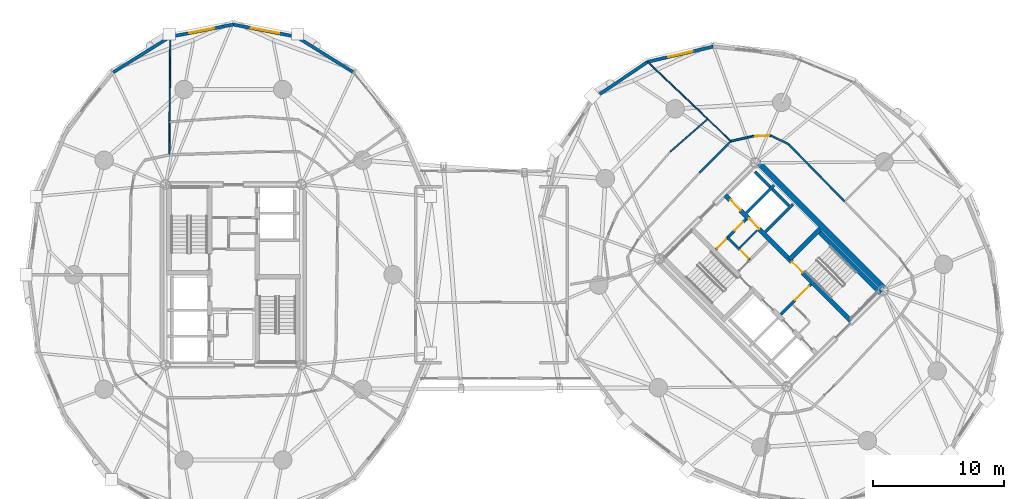
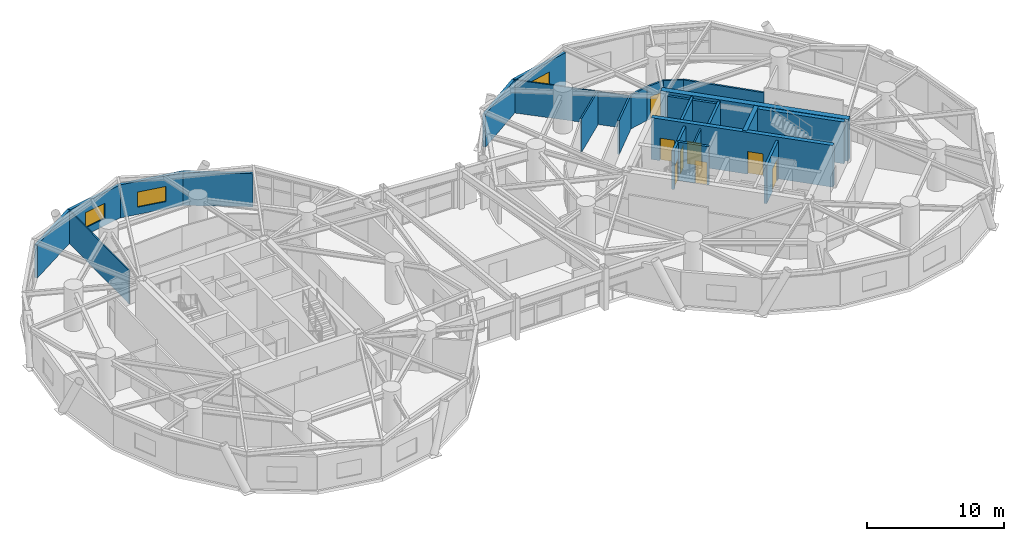
# One storey, part 17 of 20: 26 walls, 8 doors, 3 windows, 11 openings.
"""IFC4 building model written with IfcOpenShell, lengths in metres."""

from ifc_helpers import new_model, si_unit, direction, frame, frame_2d, origin, place, context, subcontext, project, spatial, rectangle, extrude, source, transform, mapped, material, layer, layer_set, type_object, element, fill, save


model = new_model("IFC4")

# Units and contexts
model_context = context("Model", 3, precision=1e-05, world=origin(), true_north=direction((0.0, 1.0)))
body_context = subcontext(model_context, "Body", "Model", "MODEL_VIEW")
ifc_project = project(units=[si_unit("LENGTHUNIT", "METRE"), si_unit("AREAUNIT", "SQUARE_METRE"), si_unit("VOLUMEUNIT", "CUBIC_METRE"), si_unit("PLANEANGLEUNIT", "RADIAN"), si_unit("MASSUNIT", "GRAM", prefix="KILO")], contexts=[model_context])

# Site, building, storey
site_placement = place(None, origin())
site = spatial("IfcSite", under=ifc_project, at=site_placement, CompositionType="ELEMENT")
building_placement = place(site_placement, origin())
building = spatial("IfcBuilding", under=site, at=building_placement, Name="Cununo Teusaquillo Station Towers", CompositionType="ELEMENT")
storey_placement = place(building_placement, frame((0.0, 0.0, 129.159912109375)))
storey = spatial("IfcBuildingStorey", under=building, at=storey_placement, Name="L41", CompositionType="ELEMENT", Elevation=129.159912109375)

# Walls
ifc_material_1 = material(Name="Concrete C50/60", Category="concrete")
ifc_layer_1 = layer(ifc_material_1, 0.199951171875)
ifc_layer_set_1 = layer_set([ifc_layer_1], Name="Concrete C50/60")
wall_type_1 = type_object("IfcWallType", Name="WL-CORE-200", PredefinedType="SHEAR", material=ifc_layer_set_1)
wall_1_placement = place(storey_placement, frame((57.0615234375, 27.781005859375, 0.0), z_axis=(0.0, 0.0, 1.0), x_axis=(0.707106781187, 0.707106781187, 0.0)))
element("IfcWall", 1, at=wall_1_placement, inside=storey, type_object=wall_type_1, Name="L41 Tower B Low-Rise Lift Hoistway South Shear Wall", PredefinedType="SHEAR", context=body_context, shape_type="SweptSolid", body=[
    extrude(rectangle(XDim=2.969970703125, YDim=0.199951171875, at=frame_2d((1.48486328125, 0.0))), origin(), (0.0, 0.0, 1.0), 3.719970703125),
])
wall_2_placement = place(storey_placement, frame((55.615478515625, 29.22705078125, 0.0), z_axis=(0.0, 0.0, 1.0), x_axis=(0.707147878904, 0.70706568108, 0.0)))
element("IfcWall", 2, at=wall_2_placement, inside=storey, type_object=wall_type_1, Name="L41 Tower B Low-Rise Lift Hoistway Divider Shear Wall", PredefinedType="SHEAR", context=body_context, shape_type="SweptSolid", body=[
    extrude(rectangle(XDim=2.97021484375, YDim=0.199951171875, at=frame_2d((1.485107421875, 0.0))), origin(), (0.0, 0.0, 1.0), 3.719970703125),
])
wall_3_placement = place(storey_placement, frame((58.86474609375, 29.75390625, 0.0), z_axis=(0.0, 0.0, 1.0), x_axis=(-0.707174411312, 0.707039144592, 0.0)))
element("IfcWall", 3, at=wall_3_placement, inside=storey, type_object=wall_type_1, Name="L41 Tower B Low-Rise Lift 1 Shaft Rear Shear Wall", PredefinedType="SHEAR", context=body_context, shape_type="SweptSolid", body=[
    extrude(rectangle(XDim=1.804931640625, YDim=0.199951171875, at=frame_2d((0.90234375, 0.0))), origin(), (0.0, 0.0, 1.0), 3.719970703125),
])
wall_4_placement = place(storey_placement, frame((57.418701171875, 31.19970703125, 0.0), z_axis=(0.0, 0.0, 1.0), x_axis=(-0.707032117043, 0.707181437447, 0.0)))
element("IfcWall", 4, at=wall_4_placement, inside=storey, type_object=wall_type_1, Name="L41 Tower B Low-Rise Lift 2 Shaft Rear Shear Wall", PredefinedType="SHEAR", context=body_context, shape_type="SweptSolid", body=[
    extrude(rectangle(XDim=1.635009765625, YDim=0.199951171875, at=frame_2d((0.8173828125, 0.0))), origin(), (0.0, 0.0, 1.0), 3.719970703125),
])

# Wall, openings, doors
ifc_material_2 = material(Name="Concrete C50/60", Category="concrete")
ifc_layer_2 = layer(ifc_material_2, 0.35009765625)
ifc_layer_set_2 = layer_set([ifc_layer_2], Name="Concrete C50/60")
wall_type_2 = type_object("IfcWallType", Name="WL-CORE-350", PredefinedType="SHEAR", material=ifc_layer_set_2)
wall_5_placement = place(storey_placement, frame((63.644775390625, 20.922119140625, 0.0), z_axis=(0.0, 0.0, 1.0), x_axis=(-0.707106781187, 0.707106781187, 0.0)))
wall_5 = element("IfcWall", 5, at=wall_5_placement, inside=storey, type_object=wall_type_2, Name="L41 Tower B Core Shear Wall IE", PredefinedType="SHEAR", context=body_context, shape_type="SweptSolid", body=[
    extrude(rectangle(XDim=13.75, YDim=0.35009765625, at=frame_2d((6.875, 0.0))), origin(), (0.0, 0.0, 1.0), 3.719970703125),
])
shared_shape_1 = source(origin(), body_context, "Body", "SweptSolid", [
    extrude(rectangle(XDim=1.10009765625, YDim=2.014892578125, at=frame_2d((0.550048828125, 1.00732421875))), frame((0.0, 0.18505859375, 0.0), z_axis=(0.0, -1.0, 0.0), x_axis=(1.0, 0.0, 0.0)), (0.0, 0.0, 1.0), 0.3701171875),
])
opening_1_placement = place(wall_5_placement, frame((10.0, 0.0, 0.0)))
opening_1 = element("IfcOpeningElement", 6, at=opening_1_placement, cuts=wall_5, Name="Opening LD-01", PredefinedType="OPENING", context=body_context, shape_type="MappedRepresentation", body=[
    mapped(shared_shape_1, transform((0.0, 0.0, 0.0), x_axis=(1.0, 0.0, 0.0), y_axis=(0.0, 1.0, 0.0), z_axis=(0.0, 0.0, 1.0), scale=1.0)),
])
opening_2_placement = place(wall_5_placement, frame((12.0, 0.0, 0.0)))
opening_2 = element("IfcOpeningElement", 7, at=opening_2_placement, cuts=wall_5, Name="Opening LD-01", PredefinedType="OPENING", context=body_context, shape_type="MappedRepresentation", body=[
    mapped(shared_shape_1, transform((0.0, 0.0, 0.0), x_axis=(1.0, 0.0, 0.0), y_axis=(0.0, 1.0, 0.0), z_axis=(0.0, 0.0, 1.0), scale=1.0)),
])
shared_shape_2 = source(origin(), body_context, "Body", "SweptSolid", [
    extrude(rectangle(XDim=1.14990234375, YDim=2.02001953125, at=frame_2d((0.574951171875, 1.010009765625))), frame((0.0, 0.18505859375, 0.0), z_axis=(0.0, -1.0, 0.0), x_axis=(1.0, 0.0, 0.0)), (0.0, 0.0, 1.0), 0.3701171875),
])
opening_3_placement = place(wall_5_placement, frame((5.304931640625, 0.0, 0.0)))
opening_3 = element("IfcOpeningElement", 8, at=opening_3_placement, cuts=wall_5, Name="Opening D-ST1", PredefinedType="OPENING", context=body_context, shape_type="MappedRepresentation", body=[
    mapped(shared_shape_2, transform((0.0, 0.0, 0.0), x_axis=(1.0, 0.0, 0.0), y_axis=(0.0, 1.0, 0.0), z_axis=(0.0, 0.0, 1.0), scale=1.0)),
])
ifc_material_3 = material(Name="Galvanised fire-rated hollow steel door assembly", Category="steel")
door_type_1 = type_object("IfcDoorType", Name="DR-LIFT-1100", OperationType="SLIDING_TO_LEFT", PredefinedType="DOOR", material=ifc_material_3)
shared_shape_3 = source(origin(), body_context, "Body", "SweptSolid", [
    extrude(rectangle(XDim=1.10009765625, YDim=2.014892578125, at=frame_2d((0.550048828125, 1.00732421875))), frame((0.0, 0.02490234375, 0.0), z_axis=(0.0, -1.0, 0.0), x_axis=(1.0, 0.0, 0.0)), (0.0, 0.0, 1.0), 0.050048828125),
])
door_1_placement = place(opening_1_placement, origin())
door_1 = element("IfcDoor", 9, at=door_1_placement, inside=storey, type_object=door_type_1, Name="L41 Lift PL-T2-L1 Sliding Landing Door", OperationType="SLIDING_TO_LEFT", OverallHeight=2.014892578125, OverallWidth=1.10009765625, PredefinedType="DOOR", context=body_context, shape_type="MappedRepresentation", body=[
    mapped(shared_shape_3, transform((0.0, 0.0, 0.0), x_axis=(1.0, 0.0, 0.0), y_axis=(0.0, 1.0, 0.0), z_axis=(0.0, 0.0, 1.0), scale=1.0)),
])
fill(opening_1, door_1)
door_2_placement = place(opening_2_placement, origin())
door_2 = element("IfcDoor", 10, at=door_2_placement, inside=storey, type_object=door_type_1, Name="L41 Lift PL-T2-L2 Sliding Landing Door", OperationType="SLIDING_TO_RIGHT", OverallHeight=2.014892578125, OverallWidth=1.10009765625, PredefinedType="DOOR", context=body_context, shape_type="MappedRepresentation", body=[
    mapped(shared_shape_3, transform((0.0, 0.0, 0.0), x_axis=(1.0, 0.0, 0.0), y_axis=(0.0, 1.0, 0.0), z_axis=(0.0, 0.0, 1.0), scale=1.0)),
])
fill(opening_2, door_2)
ifc_material_4 = material(Name="Galvanised fire-rated hollow steel door assembly", Category="steel")
door_type_2 = type_object("IfcDoorType", Name="DR-STAIR-1150", OperationType="NOTDEFINED", PredefinedType="DOOR", material=ifc_material_4)
shared_shape_4 = source(origin(), body_context, "Body", "SweptSolid", [
    extrude(rectangle(XDim=1.14990234375, YDim=2.02001953125, at=frame_2d((0.574951171875, 1.010009765625))), frame((0.0, 0.02490234375, 0.0), z_axis=(0.0, -1.0, 0.0), x_axis=(1.0, 0.0, 0.0)), (0.0, 0.0, 1.0), 0.050048828125),
])
door_3_placement = place(opening_3_placement, origin())
door_3 = element("IfcDoor", 11, at=door_3_placement, inside=storey, type_object=door_type_2, Name="L41 Tower B Exit Stair 2 Fire Door", OperationType="SINGLE_SWING_RIGHT", OverallHeight=2.02001953125, OverallWidth=1.14990234375, PredefinedType="DOOR", context=body_context, shape_type="MappedRepresentation", body=[
    mapped(shared_shape_4, transform((0.0, 0.0, 0.0), x_axis=(1.0, 0.0, 0.0), y_axis=(0.0, 1.0, 0.0), z_axis=(0.0, 0.0, 1.0), scale=1.0)),
])
fill(opening_3, door_3)

# Walls
wall_6_placement = place(storey_placement, frame((65.82958984375, 23.10693359375, 0.0), z_axis=(0.0, 0.0, 1.0), x_axis=(-0.707088616009, 0.707124945897, 0.0)))
element("IfcWall", 12, at=wall_6_placement, inside=storey, type_object=wall_type_2, Name="L41 Tower B Core Shear Wall ST2E", PredefinedType="SHEAR", context=body_context, shape_type="SweptSolid", body=[
    extrude(rectangle(XDim=6.72021484375, YDim=0.35009765625, at=frame_2d((3.360107421875, 0.0))), origin(), (0.0, 0.0, 1.0), 3.719970703125),
])
wall_7_placement = place(storey_placement, frame((58.89306640625, 25.673828125, 0.0), z_axis=(0.0, 0.0, 1.0), x_axis=(0.707106781187, 0.707106781187, 0.0)))
element("IfcWall", 13, at=wall_7_placement, inside=storey, type_object=wall_type_2, Name="L41 Tower B Core Shear Wall ST2N", PredefinedType="SHEAR", context=body_context, shape_type="SweptSolid", body=[
    extrude(rectangle(XDim=3.284912109375, YDim=0.35009765625, at=frame_2d((1.642578125, 0.0))), origin(), (0.0, 0.0, 1.0), 3.719970703125),
])
ifc_material_5 = material(Name="Concrete C60/75", Category="concrete")
ifc_layer_3 = layer(ifc_material_5, 0.449951171875)
ifc_layer_set_3 = layer_set([ifc_layer_3], Name="Concrete C60/75")
wall_type_3 = type_object("IfcWallType", Name="WL-CORE-450", PredefinedType="SHEAR", material=ifc_layer_set_3)
wall_8_placement = place(storey_placement, frame((66.303466796875, 23.2626953125, 0.0), z_axis=(0.0, 0.0, 1.0), x_axis=(-0.707106781187, 0.707106781187, 0.0)))
element("IfcWall", 14, at=wall_8_placement, inside=storey, type_object=wall_type_3, Name="L41 Tower B Core Shear Wall E", PredefinedType="SHEAR", context=body_context, shape_type="SweptSolid", body=[
    extrude(rectangle(XDim=14.19970703125, YDim=0.449951171875, at=frame_2d((7.099853515625, 0.0))), origin(), (0.0, 0.0, 1.0), 3.719970703125),
])
ifc_material_6 = material(Name="Precast concrete C40/50", Category="concrete")
ifc_layer_4 = layer(ifc_material_6, 0.239990234375)
ifc_layer_set_4 = layer_set([ifc_layer_4], Name="Precast concrete C40/50")
wall_type_4 = type_object("IfcWallType", Name="WL-EXT-240", PredefinedType="SOLIDWALL", material=ifc_layer_set_4)
wall_9_placement = place(storey_placement, frame((21.314697265625, 42.63671875, 0.0), z_axis=(0.0, 0.0, 1.0), x_axis=(0.848520380187, -0.529162701263, 0.0)))
element("IfcWall", 15, at=wall_9_placement, inside=storey, type_object=wall_type_4, Name="L41 Tower A Exterior Facade Wall C03", PredefinedType="SOLIDWALL", context=body_context, shape_type="SweptSolid", body=[
    extrude(rectangle(XDim=5.118896484375, YDim=0.239990234375, at=frame_2d((2.5595703125, 0.0))), origin(), (0.0, 0.0, 1.0), 2.948974609375),
])

# Wall, opening, window
wall_10_placement = place(storey_placement, frame((16.5, 43.570068359375, 0.0), z_axis=(0.0, 0.0, 1.0), x_axis=(0.981723785992, -0.190311344954, 0.0)))
wall_10 = element("IfcWall", 16, at=wall_10_placement, inside=storey, type_object=wall_type_4, Name="L41 Tower A Exterior Facade Wall C04", PredefinedType="SOLIDWALL", context=body_context, shape_type="SweptSolid", body=[
    extrude(rectangle(XDim=4.904296875, YDim=0.239990234375, at=frame_2d((2.4521484375, 0.0))), origin(), (0.0, 0.0, 1.0), 2.948974609375),
])
shared_shape_5 = source(origin(), body_context, "Body", "SweptSolid", [
    extrude(rectangle(XDim=2.199951171875, YDim=1.35009765625, at=frame_2d((1.10009765625, 0.675048828125))), frame((0.0, 0.1298828125, 0.0), z_axis=(0.0, -1.0, 0.0), x_axis=(1.0, 0.0, 0.0)), (0.0, 0.0, 1.0), 0.260009765625),
])
opening_4_placement = place(wall_10_placement, frame((1.35205078125, 0.0, 0.64990234375)))
opening_4 = element("IfcOpeningElement", 17, at=opening_4_placement, cuts=wall_10, Name="Opening WN-01", PredefinedType="OPENING", context=body_context, shape_type="MappedRepresentation", body=[
    mapped(shared_shape_5, transform((0.0, 0.0, 0.0), x_axis=(1.0, 0.0, 0.0), y_axis=(0.0, 1.0, 0.0), z_axis=(0.0, 0.0, 1.0), scale=1.0)),
])
ifc_material_7 = material(Name="Ceramic-fritted dark low-E double glazing", Category="glass")
window_type_1 = type_object("IfcWindowType", Name="WIN-FRIT-2200", PartitioningType="DOUBLE_PANEL_VERTICAL", PredefinedType="WINDOW", material=ifc_material_7)
shared_shape_6 = source(origin(), body_context, "Body", "SweptSolid", [
    extrude(rectangle(XDim=2.199951171875, YDim=1.35009765625, at=frame_2d((1.10009765625, 0.675048828125))), frame((0.0, 0.030029296875, 0.0), z_axis=(0.0, -1.0, 0.0), x_axis=(1.0, 0.0, 0.0)), (0.0, 0.0, 1.0), 0.06005859375),
])
window_1_placement = place(opening_4_placement, origin())
window_1 = element("IfcWindow", 18, at=window_1_placement, inside=storey, type_object=window_type_1, Name="L41 Tower A Facade Window C04", OverallHeight=1.35009765625, OverallWidth=2.199951171875, PartitioningType="DOUBLE_PANEL_VERTICAL", PredefinedType="WINDOW", context=body_context, shape_type="MappedRepresentation", body=[
    mapped(shared_shape_6, transform((0.0, 0.0, 0.0), x_axis=(1.0, 0.0, 0.0), y_axis=(0.0, 1.0, 0.0), z_axis=(0.0, 0.0, 1.0), scale=1.0)),
])
fill(opening_4, window_1)

wall_11_placement = place(storey_placement, frame((11.685302734375, 42.63671875, 0.0), z_axis=(0.0, 0.0, 1.0), x_axis=(0.981723785992, 0.190311344954, 0.0)))
wall_11 = element("IfcWall", 19, at=wall_11_placement, inside=storey, type_object=wall_type_4, Name="L41 Tower A Exterior Facade Wall C05", PredefinedType="SOLIDWALL", context=body_context, shape_type="SweptSolid", body=[
    extrude(rectangle(XDim=4.904296875, YDim=0.239990234375, at=frame_2d((2.4521484375, 0.0))), origin(), (0.0, 0.0, 1.0), 2.948974609375),
])
shared_shape_7 = source(origin(), body_context, "Body", "SweptSolid", [
    extrude(rectangle(XDim=1.89990234375, YDim=1.35009765625, at=frame_2d((0.949951171875, 0.675048828125))), frame((0.0, 0.1298828125, 0.0), z_axis=(0.0, -1.0, 0.0), x_axis=(1.0, 0.0, 0.0)), (0.0, 0.0, 1.0), 0.260009765625),
])
opening_5_placement = place(wall_11_placement, frame((1.501953125, 0.0, 0.64990234375)))
opening_5 = element("IfcOpeningElement", 20, at=opening_5_placement, cuts=wall_11, Name="Opening WN-02", PredefinedType="OPENING", context=body_context, shape_type="MappedRepresentation", body=[
    mapped(shared_shape_7, transform((0.0, 0.0, 0.0), x_axis=(1.0, 0.0, 0.0), y_axis=(0.0, 1.0, 0.0), z_axis=(0.0, 0.0, 1.0), scale=1.0)),
])
ifc_material_8 = material(Name="Operable acoustic tinted low-E double glazing", Category="glass")
window_type_2 = type_object("IfcWindowType", Name="WIN-OPER-1900", PartitioningType="DOUBLE_PANEL_VERTICAL", PredefinedType="WINDOW", material=ifc_material_8)
shared_shape_8 = source(origin(), body_context, "Body", "SweptSolid", [
    extrude(rectangle(XDim=1.89990234375, YDim=1.35009765625, at=frame_2d((0.949951171875, 0.675048828125))), frame((0.0, 0.030029296875, 0.0), z_axis=(0.0, -1.0, 0.0), x_axis=(1.0, 0.0, 0.0)), (0.0, 0.0, 1.0), 0.06005859375),
])
window_2_placement = place(opening_5_placement, origin())
window_2 = element("IfcWindow", 21, at=window_2_placement, inside=storey, type_object=window_type_2, Name="L41 Tower A Facade Window C05", OverallHeight=1.35009765625, OverallWidth=1.89990234375, PartitioningType="DOUBLE_PANEL_VERTICAL", PredefinedType="WINDOW", context=body_context, shape_type="MappedRepresentation", body=[
    mapped(shared_shape_8, transform((0.0, 0.0, 0.0), x_axis=(1.0, 0.0, 0.0), y_axis=(0.0, 1.0, 0.0), z_axis=(0.0, 0.0, 1.0), scale=1.0)),
])
fill(opening_5, window_2)

# Wall
wall_12_placement = place(storey_placement, frame((7.341796875, 39.927978515625, 0.0), z_axis=(0.0, 0.0, 1.0), x_axis=(0.848520380187, 0.529162701263, 0.0)))
element("IfcWall", 22, at=wall_12_placement, inside=storey, type_object=wall_type_4, Name="L41 Tower A Exterior Facade Wall C06", PredefinedType="SOLIDWALL", context=body_context, shape_type="SweptSolid", body=[
    extrude(rectangle(XDim=5.118896484375, YDim=0.239990234375, at=frame_2d((2.5595703125, 0.0))), origin(), (0.0, 0.0, 1.0), 2.948974609375),
])

# Wall, opening, window
wall_13_placement = place(storey_placement, frame((48.080078125, 40.72900390625, 0.0), z_axis=(0.0, 0.0, 1.0), x_axis=(0.974165631126, 0.225834725257, 0.0)))
wall_13 = element("IfcWall", 23, at=wall_13_placement, inside=storey, type_object=wall_type_4, Name="L41 Tower B Exterior Facade Wall C03", PredefinedType="SOLIDWALL", context=body_context, shape_type="SweptSolid", body=[
    extrude(rectangle(XDim=5.118896484375, YDim=0.239990234375, at=frame_2d((2.5595703125, 0.0))), origin(), (0.0, 0.0, 1.0), 2.948974609375),
])
opening_6_placement = place(wall_13_placement, frame((1.60888671875, 0.0, 0.64990234375)))
opening_6 = element("IfcOpeningElement", 24, at=opening_6_placement, cuts=wall_13, Name="Opening WN-02", PredefinedType="OPENING", context=body_context, shape_type="MappedRepresentation", body=[
    mapped(shared_shape_7, transform((0.0, 0.0, 0.0), x_axis=(1.0, 0.0, 0.0), y_axis=(0.0, 1.0, 0.0), z_axis=(0.0, 0.0, 1.0), scale=1.0)),
])
window_3_placement = place(opening_6_placement, origin())
window_3 = element("IfcWindow", 25, at=window_3_placement, inside=storey, type_object=window_type_2, Name="L41 Tower B Facade Window C03", OverallHeight=1.35009765625, OverallWidth=1.89990234375, PartitioningType="DOUBLE_PANEL_VERTICAL", PredefinedType="WINDOW", context=body_context, shape_type="MappedRepresentation", body=[
    mapped(shared_shape_8, transform((0.0, 0.0, 0.0), x_axis=(1.0, 0.0, 0.0), y_axis=(0.0, 1.0, 0.0), z_axis=(0.0, 0.0, 1.0), scale=1.0)),
])
fill(opening_6, window_3)

# Walls
wall_14_placement = place(storey_placement, frame((44.015380859375, 37.984619140625, 0.0), z_axis=(0.0, 0.0, 1.0), x_axis=(0.828781148131, 0.559572880421, 0.0)))
element("IfcWall", 26, at=wall_14_placement, inside=storey, type_object=wall_type_4, Name="L41 Tower B Exterior Facade Wall C04", PredefinedType="SOLIDWALL", context=body_context, shape_type="SweptSolid", body=[
    extrude(rectangle(XDim=4.904541015625, YDim=0.239990234375, at=frame_2d((2.4521484375, 0.0))), origin(), (0.0, 0.0, 1.0), 2.948974609375),
])
ifc_material_9 = material(Name="Fire-rated gypsum plasterboard partition assembly", Category="gypsum")
ifc_layer_5 = layer(ifc_material_9, 0.10009765625)
ifc_layer_set_5 = layer_set([ifc_layer_5], Name="Fire-rated gypsum plasterboard partition assembly")
wall_type_5 = type_object("IfcWallType", Name="WL-PART-100", PredefinedType="MOVABLE", material=ifc_layer_set_5)
wall_15_placement = place(storey_placement, frame((11.619873046875, 33.63720703125, 0.0), z_axis=(0.0, 0.0, 1.0), x_axis=(0.007965167065, 0.999968277554, 0.0)))
element("IfcWall", 27, at=wall_15_placement, inside=storey, type_object=wall_type_5, Name="L41 Tower A Radial Suite Partition R02", PredefinedType="MOVABLE", context=body_context, shape_type="SweptSolid", body=[
    extrude(rectangle(XDim=8.980712890625, YDim=0.10009765625, at=frame_2d((4.490234375, 0.0))), origin(), (0.0, 0.0, 1.0), 2.948974609375),
])
wall_16_placement = place(storey_placement, frame((54.426513671875, 34.6826171875, 0.0), z_axis=(0.0, 0.0, 1.0), x_axis=(-0.72454072322, 0.689231993161, 0.0)))
element("IfcWall", 28, at=wall_16_placement, inside=storey, type_object=wall_type_5, Name="L41 Tower B Radial Suite Partition R02", PredefinedType="MOVABLE", context=body_context, shape_type="SweptSolid", body=[
    extrude(rectangle(XDim=8.746826171875, YDim=0.10009765625, at=frame_2d((4.37353515625, 0.0))), origin(), (0.0, 0.0, 1.0), 2.948974609375),
])
ifc_material_10 = material(Name="Fire-rated gypsum plasterboard partition assembly", Category="gypsum")
ifc_layer_6 = layer(ifc_material_10, 0.125)
ifc_layer_set_6 = layer_set([ifc_layer_6], Name="Fire-rated gypsum plasterboard partition assembly")
wall_type_6 = type_object("IfcWallType", Name="WL-PART-125", PredefinedType="PARTITIONING", material=ifc_layer_set_6)
wall_17_placement = place(storey_placement, frame((55.0888671875, 26.54345703125, 0.0), z_axis=(0.0, 0.0, 1.0), x_axis=(0.707106781187, 0.707106781187, 0.0)))
element("IfcWall", 29, at=wall_17_placement, inside=storey, type_object=wall_type_6, Name="L41 Tower B Core Horizontal Split Wall", PredefinedType="PARTITIONING", context=body_context, shape_type="SweptSolid", body=[
    extrude(rectangle(XDim=1.8798828125, YDim=0.125, at=frame_2d((0.93994140625, 0.0))), origin(), (0.0, 0.0, 1.0), 3.425048828125),
])
wall_18_placement = place(storey_placement, frame((52.652099609375, 36.37060546875, 0.0), z_axis=(0.0, 0.0, 1.0), x_axis=(-0.752401146533, -0.658705180408, 0.0)))
element("IfcWall", 30, at=wall_18_placement, inside=storey, type_object=wall_type_6, Name="L41 Tower B Sky-Concourse Exhibition Salon Concentric Partition Wall C04", PredefinedType="PARTITIONING", context=body_context, shape_type="SweptSolid", body=[
    extrude(rectangle(XDim=3.791259765625, YDim=0.125, at=frame_2d((1.8955078125, 0.0))), origin(), (0.0, 0.0, 1.0), 2.9951171875),
])
ifc_material_11 = material(Name="Fire-rated gypsum plasterboard partition assembly", Category="gypsum")
ifc_layer_7 = layer(ifc_material_11, 0.14990234375)
ifc_layer_set_7 = layer_set([ifc_layer_7], Name="Fire-rated gypsum plasterboard partition assembly")
wall_type_7 = type_object("IfcWallType", Name="WL-PART-150", PredefinedType="PARTITIONING", material=ifc_layer_set_7)
wall_19_placement = place(storey_placement, frame((63.086181640625, 30.086181640625, 0.0), z_axis=(0.0, 0.0, 1.0), x_axis=(-0.699075897379, 0.715047473741, 0.0)))
element("IfcWall", 31, at=wall_19_placement, inside=storey, type_object=wall_type_7, Name="L41 Tower B Corridor Ring Wall C00", PredefinedType="PARTITIONING", context=body_context, shape_type="SweptSolid", body=[
    extrude(rectangle(XDim=6.1142578125, YDim=0.14990234375, at=frame_2d((3.05712890625, 0.0))), origin(), (0.0, 0.0, 1.0), 2.9951171875),
])
wall_20_placement = place(storey_placement, frame((58.811767578125, 34.458251953125, 0.0), z_axis=(0.0, 0.0, 1.0), x_axis=(-0.899559490277, 0.436798264021, 0.0)))
element("IfcWall", 32, at=wall_20_placement, inside=storey, type_object=wall_type_7, Name="L41 Tower B Corridor Ring Wall C01", PredefinedType="PARTITIONING", context=body_context, shape_type="SweptSolid", body=[
    extrude(rectangle(XDim=1.4951171875, YDim=0.14990234375, at=frame_2d((0.74755859375, 0.0))), origin(), (0.0, 0.0, 1.0), 2.9951171875),
])

# Wall, opening, door
wall_21_placement = place(storey_placement, frame((57.466796875, 35.111328125, 0.0), z_axis=(0.0, 0.0, 1.0), x_axis=(-0.998691757323, -0.051134859488, 0.0)))
wall_21 = element("IfcWall", 33, at=wall_21_placement, inside=storey, type_object=wall_type_7, Name="L41 Tower B Corridor Ring Wall C02", PredefinedType="PARTITIONING", context=body_context, shape_type="SweptSolid", body=[
    extrude(rectangle(XDim=1.48486328125, YDim=0.14990234375, at=frame_2d((0.742431640625, 0.0))), origin(), (0.0, 0.0, 1.0), 2.9951171875),
])
shared_shape_9 = source(origin(), body_context, "Body", "SweptSolid", [
    extrude(rectangle(XDim=1.050048828125, YDim=2.014892578125, at=frame_2d((0.52490234375, 1.00732421875))), frame((0.0, 0.0849609375, 0.0), z_axis=(0.0, -1.0, 0.0), x_axis=(1.0, 0.0, 0.0)), (0.0, 0.0, 1.0), 0.169921875),
])
opening_7_placement = place(wall_21_placement, frame((0.1201171875, 0.0, 0.0)))
opening_7 = element("IfcOpeningElement", 34, at=opening_7_placement, cuts=wall_21, Name="Opening D-SU1", PredefinedType="OPENING", context=body_context, shape_type="MappedRepresentation", body=[
    mapped(shared_shape_9, transform((0.0, 0.0, 0.0), x_axis=(1.0, 0.0, 0.0), y_axis=(0.0, 1.0, 0.0), z_axis=(0.0, 0.0, 1.0), scale=1.0)),
])
ifc_material_12 = material(Name="Acoustic solid-core hardwood leaf assembly", Category="wood")
door_type_3 = type_object("IfcDoorType", Name="DR-SUITE-1050", OperationType="NOTDEFINED", PredefinedType="DOOR", material=ifc_material_12)
shared_shape_10 = source(origin(), body_context, "Body", "SweptSolid", [
    extrude(rectangle(XDim=1.050048828125, YDim=2.014892578125, at=frame_2d((0.52490234375, 1.00732421875))), frame((0.0, 0.02490234375, 0.0), z_axis=(0.0, -1.0, 0.0), x_axis=(1.0, 0.0, 0.0)), (0.0, 0.0, 1.0), 0.050048828125),
])
door_4_placement = place(opening_7_placement, origin())
door_4 = element("IfcDoor", 35, at=door_4_placement, inside=storey, type_object=door_type_3, Name="L41 Tower B Pan-Andean Symposium Hall Entrance Door", OperationType="SINGLE_SWING_LEFT", OverallHeight=2.014892578125, OverallWidth=1.050048828125, PredefinedType="DOOR", context=body_context, shape_type="MappedRepresentation", body=[
    mapped(shared_shape_10, transform((0.0, 0.0, 0.0), x_axis=(1.0, 0.0, 0.0), y_axis=(0.0, 1.0, 0.0), z_axis=(0.0, 0.0, 1.0), scale=1.0)),
])
fill(opening_7, door_4)

# Walls
wall_22_placement = place(storey_placement, frame((55.98388671875, 35.035400390625, 0.0), z_axis=(0.0, 0.0, 1.0), x_axis=(-0.975290305708, -0.22092718165, 0.0)))
element("IfcWall", 36, at=wall_22_placement, inside=storey, type_object=wall_type_7, Name="L41 Tower B Corridor Ring Wall C03", PredefinedType="PARTITIONING", context=body_context, shape_type="SweptSolid", body=[
    extrude(rectangle(XDim=1.596923828125, YDim=0.14990234375, at=frame_2d((0.79833984375, 0.0))), origin(), (0.0, 0.0, 1.0), 2.9951171875),
])
wall_23_placement = place(storey_placement, frame((54.426513671875, 34.6826171875, 0.0), z_axis=(0.0, 0.0, 1.0), x_axis=(-0.704178989986, -0.710022499687, 0.0)))
element("IfcWall", 37, at=wall_23_placement, inside=storey, type_object=wall_type_7, Name="L41 Tower B Corridor Ring Wall C04", PredefinedType="PARTITIONING", context=body_context, shape_type="SweptSolid", body=[
    extrude(rectangle(XDim=3.38427734375, YDim=0.14990234375, at=frame_2d((1.692138671875, 0.0))), origin(), (0.0, 0.0, 1.0), 2.9951171875),
])

# Wall, opening, door
ifc_material_13 = material(Name="Fire-rated gypsum plasterboard partition assembly", Category="gypsum")
ifc_layer_8 = layer(ifc_material_13, 0.199951171875)
ifc_layer_set_8 = layer_set([ifc_layer_8], Name="Fire-rated gypsum plasterboard partition assembly")
wall_type_8 = type_object("IfcWallType", Name="WL-PART-200", PredefinedType="PARTITIONING", material=ifc_layer_set_8)
wall_24_placement = place(storey_placement, frame((58.214111328125, 21.466552734375, 0.0), z_axis=(0.0, 0.0, 1.0), x_axis=(0.707106781187, 0.707106781187, 0.0)))
wall_24 = element("IfcWall", 38, at=wall_24_placement, inside=storey, type_object=wall_type_8, Name="L41 Tower B Firefighting Lift Lobby South Fire Wall", PredefinedType="PARTITIONING", context=body_context, shape_type="SweptSolid", body=[
    extrude(rectangle(XDim=3.280029296875, YDim=0.199951171875, at=frame_2d((1.64013671875, 0.0))), origin(), (0.0, 0.0, 1.0), 3.425048828125),
])
shared_shape_11 = source(origin(), body_context, "Body", "SweptSolid", [
    extrude(rectangle(XDim=1.5, YDim=2.02001953125, at=frame_2d((0.75, 1.010009765625))), frame((0.0, 0.10986328125, 0.0), z_axis=(0.0, -1.0, 0.0), x_axis=(1.0, 0.0, 0.0)), (0.0, 0.0, 1.0), 0.219970703125),
])
opening_8_placement = place(wall_24_placement, frame((1.550048828125, 0.0, 0.0)))
opening_8 = element("IfcOpeningElement", 39, at=opening_8_placement, cuts=wall_24, Name="Opening D-LB1", PredefinedType="OPENING", context=body_context, shape_type="MappedRepresentation", body=[
    mapped(shared_shape_11, transform((0.0, 0.0, 0.0), x_axis=(1.0, 0.0, 0.0), y_axis=(0.0, 1.0, 0.0), z_axis=(0.0, 0.0, 1.0), scale=1.0)),
])
ifc_material_14 = material(Name="Galvanised fire-rated hollow steel door assembly", Category="steel")
door_type_4 = type_object("IfcDoorType", Name="DR-LOBBY-1500", OperationType="DOUBLE_DOOR_SINGLE_SWING", PredefinedType="DOOR", material=ifc_material_14)
shared_shape_12 = source(origin(), body_context, "Body", "SweptSolid", [
    extrude(rectangle(XDim=1.5, YDim=2.02001953125, at=frame_2d((0.75, 1.010009765625))), frame((0.0, 0.02490234375, 0.0), z_axis=(0.0, -1.0, 0.0), x_axis=(1.0, 0.0, 0.0)), (0.0, 0.0, 1.0), 0.050048828125),
])
door_5_placement = place(opening_8_placement, origin())
door_5 = element("IfcDoor", 40, at=door_5_placement, inside=storey, type_object=door_type_4, Name="L41 Tower B Firefighting Lift Lobby South Fire Door", OperationType="DOUBLE_DOOR_SINGLE_SWING", OverallHeight=2.02001953125, OverallWidth=1.5, PredefinedType="DOOR", context=body_context, shape_type="MappedRepresentation", body=[
    mapped(shared_shape_12, transform((0.0, 0.0, 0.0), x_axis=(1.0, 0.0, 0.0), y_axis=(0.0, 1.0, 0.0), z_axis=(0.0, 0.0, 1.0), scale=1.0)),
])
fill(opening_8, door_5)

wall_25_placement = place(storey_placement, frame((55.873779296875, 25.63134765625, 0.0), z_axis=(0.0, 0.0, 1.0), x_axis=(-0.707157639372, 0.707055919343, 0.0)))
wall_25 = element("IfcWall", 41, at=wall_25_placement, inside=storey, type_object=wall_type_8, Name="L41 Tower B Stair 1 Vestibule Partition Wall", PredefinedType="PARTITIONING", context=body_context, shape_type="SweptSolid", body=[
    extrude(rectangle(XDim=2.400146484375, YDim=0.199951171875, at=frame_2d((1.2001953125, 0.0))), origin(), (0.0, 0.0, 1.0), 3.425048828125),
])
shared_shape_13 = source(origin(), body_context, "Body", "SweptSolid", [
    extrude(rectangle(XDim=0.89990234375, YDim=2.0048828125, at=frame_2d((0.449951171875, 1.00244140625))), frame((0.0, 0.10986328125, 0.0), z_axis=(0.0, -1.0, 0.0), x_axis=(1.0, 0.0, 0.0)), (0.0, 0.0, 1.0), 0.219970703125),
])
opening_9_placement = place(wall_25_placement, frame((0.139892578125, 0.0, 0.0)))
opening_9 = element("IfcOpeningElement", 42, at=opening_9_placement, cuts=wall_25, Name="Opening D-SR1", PredefinedType="OPENING", context=body_context, shape_type="MappedRepresentation", body=[
    mapped(shared_shape_13, transform((0.0, 0.0, 0.0), x_axis=(1.0, 0.0, 0.0), y_axis=(0.0, 1.0, 0.0), z_axis=(0.0, 0.0, 1.0), scale=1.0)),
])
ifc_material_15 = material(Name="Galvanised fire-rated hollow steel door assembly", Category="steel")
door_type_5 = type_object("IfcDoorType", Name="DR-STORE-900", OperationType="NOTDEFINED", PredefinedType="DOOR", material=ifc_material_15)
shared_shape_14 = source(origin(), body_context, "Body", "SweptSolid", [
    extrude(rectangle(XDim=0.89990234375, YDim=2.0048828125, at=frame_2d((0.449951171875, 1.00244140625))), frame((0.0, 0.02490234375, 0.0), z_axis=(0.0, -1.0, 0.0), x_axis=(1.0, 0.0, 0.0)), (0.0, 0.0, 1.0), 0.050048828125),
])
door_6_placement = place(opening_9_placement, origin())
door_6 = element("IfcDoor", 43, at=door_6_placement, inside=storey, type_object=door_type_5, Name="L41 Tower B Core Linen Store Door", OperationType="SINGLE_SWING_RIGHT", OverallHeight=2.0048828125, OverallWidth=0.89990234375, PredefinedType="DOOR", context=body_context, shape_type="MappedRepresentation", body=[
    mapped(shared_shape_14, transform((0.0, 0.0, 0.0), x_axis=(1.0, 0.0, 0.0), y_axis=(0.0, 1.0, 0.0), z_axis=(0.0, 0.0, 1.0), scale=1.0)),
])
fill(opening_9, door_6)

# Wall, openings, doors
wall_26_placement = place(storey_placement, frame((53.264404296875, 26.416259765625, 0.0), z_axis=(0.0, 0.0, 1.0), x_axis=(0.707106781187, 0.707106781187, 0.0)))
wall_26 = element("IfcWall", 44, at=wall_26_placement, inside=storey, type_object=wall_type_8, Name="L41 Tower B North Lift Lobby South Fire Wall", PredefinedType="PARTITIONING", context=body_context, shape_type="SweptSolid", body=[
    extrude(rectangle(XDim=3.280029296875, YDim=0.199951171875, at=frame_2d((1.64013671875, 0.0))), origin(), (0.0, 0.0, 1.0), 3.425048828125),
])
shared_shape_15 = source(origin(), body_context, "Body", "SweptSolid", [
    extrude(rectangle(XDim=1.0, YDim=2.014892578125, at=frame_2d((0.5, 1.00732421875))), frame((0.0, 0.10986328125, 0.0), z_axis=(0.0, -1.0, 0.0), x_axis=(1.0, 0.0, 0.0)), (0.0, 0.0, 1.0), 0.219970703125),
])
opening_10_placement = place(wall_26_placement, frame((0.139892578125, 0.0, 0.0)))
opening_10 = element("IfcOpeningElement", 45, at=opening_10_placement, cuts=wall_26, Name="Opening D-AC1", PredefinedType="OPENING", context=body_context, shape_type="MappedRepresentation", body=[
    mapped(shared_shape_15, transform((0.0, 0.0, 0.0), x_axis=(1.0, 0.0, 0.0), y_axis=(0.0, 1.0, 0.0), z_axis=(0.0, 0.0, 1.0), scale=1.0)),
])
opening_11_placement = place(wall_26_placement, frame((2.050048828125, 0.0, 0.0)))
opening_11 = element("IfcOpeningElement", 46, at=opening_11_placement, cuts=wall_26, Name="Opening D-SR1", PredefinedType="OPENING", context=body_context, shape_type="MappedRepresentation", body=[
    mapped(shared_shape_13, transform((0.0, 0.0, 0.0), x_axis=(1.0, 0.0, 0.0), y_axis=(0.0, 1.0, 0.0), z_axis=(0.0, 0.0, 1.0), scale=1.0)),
])
door_7_placement = place(opening_11_placement, origin())
door_7 = element("IfcDoor", 47, at=door_7_placement, inside=storey, type_object=door_type_5, Name="L41 Tower B Core Comms Room Door", OperationType="SINGLE_SWING_LEFT", OverallHeight=2.0048828125, OverallWidth=0.89990234375, PredefinedType="DOOR", context=body_context, shape_type="MappedRepresentation", body=[
    mapped(shared_shape_14, transform((0.0, 0.0, 0.0), x_axis=(1.0, 0.0, 0.0), y_axis=(0.0, 1.0, 0.0), z_axis=(0.0, 0.0, 1.0), scale=1.0)),
])
fill(opening_11, door_7)
ifc_material_16 = material(Name="Acoustic solid-core hardwood leaf assembly", Category="wood")
door_type_6 = type_object("IfcDoorType", Name="DR-ACC-1000", OperationType="NOTDEFINED", PredefinedType="DOOR", material=ifc_material_16)
shared_shape_16 = source(origin(), body_context, "Body", "SweptSolid", [
    extrude(rectangle(XDim=1.0, YDim=2.014892578125, at=frame_2d((0.5, 1.00732421875))), frame((0.0, 0.02490234375, 0.0), z_axis=(0.0, -1.0, 0.0), x_axis=(1.0, 0.0, 0.0)), (0.0, 0.0, 1.0), 0.050048828125),
])
door_8_placement = place(opening_10_placement, origin())
door_8 = element("IfcDoor", 48, at=door_8_placement, inside=storey, type_object=door_type_6, Name="L41 Tower B North Lift Lobby to Stair 1 Vestibule Door", OperationType="SINGLE_SWING_RIGHT", OverallHeight=2.014892578125, OverallWidth=1.0, PredefinedType="DOOR", context=body_context, shape_type="MappedRepresentation", body=[
    mapped(shared_shape_16, transform((0.0, 0.0, 0.0), x_axis=(1.0, 0.0, 0.0), y_axis=(0.0, 1.0, 0.0), z_axis=(0.0, 0.0, 1.0), scale=1.0)),
])
fill(opening_10, door_8)

save(model, "model.ifc")
